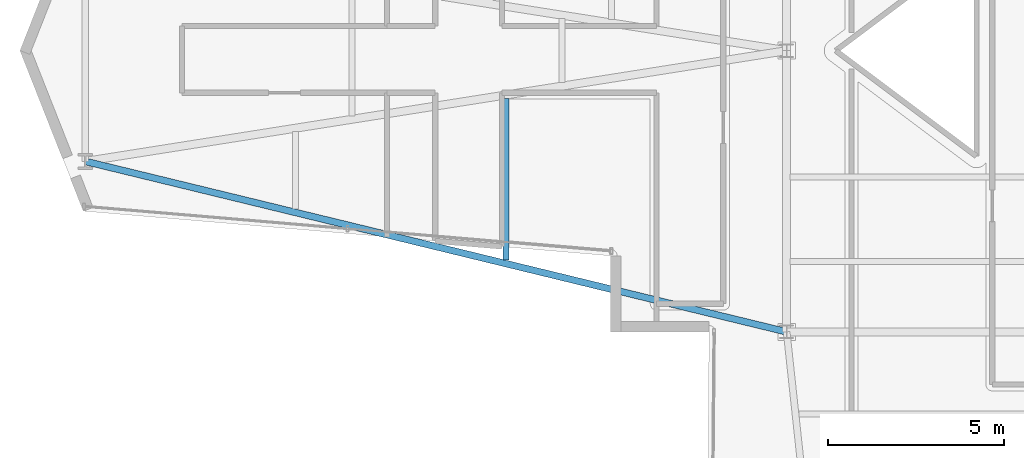
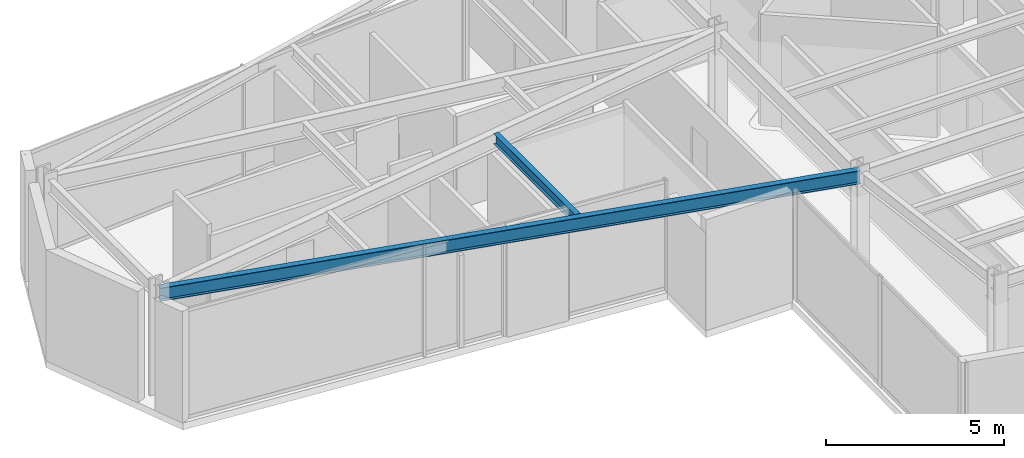
# One storey, part 3 of 25: 2 beams.
"""IFC4 building model written with IfcOpenShell, lengths in metres."""

from ifc_helpers import new_model, si_unit, direction, frame, origin, origin_2d, place, context, subcontext, project, spatial, i_section, extrude, material, material_profile, profile_set, type_object, element, save


model = new_model("IFC4")

# Units and contexts
model_context = context("Model", 3, precision=1e-05, world=origin(), true_north=direction((0.0, 1.0)))
body_context = subcontext(model_context, "Body", "Model", "MODEL_VIEW")
ifc_project = project(units=[si_unit("LENGTHUNIT", "METRE"), si_unit("AREAUNIT", "SQUARE_METRE"), si_unit("VOLUMEUNIT", "CUBIC_METRE"), si_unit("PLANEANGLEUNIT", "RADIAN"), si_unit("MASSUNIT", "GRAM", prefix="KILO")], contexts=[model_context])

# Site, building, storey
site_placement = place(None, origin())
site = spatial("IfcSite", under=ifc_project, at=site_placement, CompositionType="ELEMENT")
building_placement = place(site_placement, origin())
building = spatial("IfcBuilding", under=site, at=building_placement, Name="Veymaron Broadcast Tower", CompositionType="ELEMENT")
storey_placement = place(building_placement, frame((0.0, 0.0, 145.199951171875)))
storey = spatial("IfcBuildingStorey", under=building, at=storey_placement, Name="L33", CompositionType="ELEMENT", Elevation=145.199951171875)

# Beams
ifc_material = material(Name="Structural steel ASTM A992 Gr 50", Category="steel")
ifc_material_profile_1 = material_profile(ifc_material, i_section(OverallWidth=0.1708984375, OverallDepth=0.35498046875, WebThickness=0.007080078125, FlangeThickness=0.01171875, at=origin_2d()), Name="W360X51")
ifc_profile_set_1 = profile_set([ifc_material_profile_1], Name="Structural steel ASTM A992 Gr 50")
beam_type_1 = type_object("IfcBeamType", Name="BM-JS2", PredefinedType="JOIST", material=ifc_profile_set_1)
beam_1_placement = place(storey_placement, frame((23.219970703125, 18.0400390625, 3.632568359375), z_axis=(0.0, 1.0, 0.0), x_axis=(-1.0, 0.0, 0.0)))
element("IfcBeam", 1, at=beam_1_placement, inside=storey, type_object=beam_type_1, Name="L33 Arm-A secondary joist 2S", PredefinedType="JOIST", context=body_context, shape_type="SweptSolid", body=[
    extrude(i_section(OverallWidth=0.1708984375, OverallDepth=0.35498046875, WebThickness=0.007080078125, FlangeThickness=0.01171875, at=origin_2d()), origin(), (0.0, 0.0, 1.0), 4.599853515625),
])
ifc_material_profile_2 = material_profile(ifc_material, i_section(OverallWidth=0.19091796875, OverallDepth=0.4599609375, WebThickness=0.010009765625, FlangeThickness=0.01611328125, at=origin_2d()), Name="W460X82")
ifc_profile_set_2 = profile_set([ifc_material_profile_2], Name="Structural steel ASTM A992 Gr 50")
beam_type_2 = type_object("IfcBeamType", Name="BM-SP1", PredefinedType="SPANDREL", material=ifc_profile_set_2)
beam_2_placement = place(storey_placement, frame((11.25, 20.85009765625, 3.580078125), z_axis=(0.971696602386, -0.236232328251, 0.0), x_axis=(0.236232328251, 0.971696602386, 0.0)))
element("IfcBeam", 2, at=beam_2_placement, inside=storey, type_object=beam_type_2, Name="L33 primary structural floor girder", PredefinedType="SPANDREL", context=body_context, shape_type="SweptSolid", body=[
    extrude(i_section(OverallWidth=0.19091796875, OverallDepth=0.4599609375, WebThickness=0.010009765625, FlangeThickness=0.01611328125, at=origin_2d()), origin(), (0.0, 0.0, 1.0), 20.531005859375),
])

save(model, "model.ifc")
